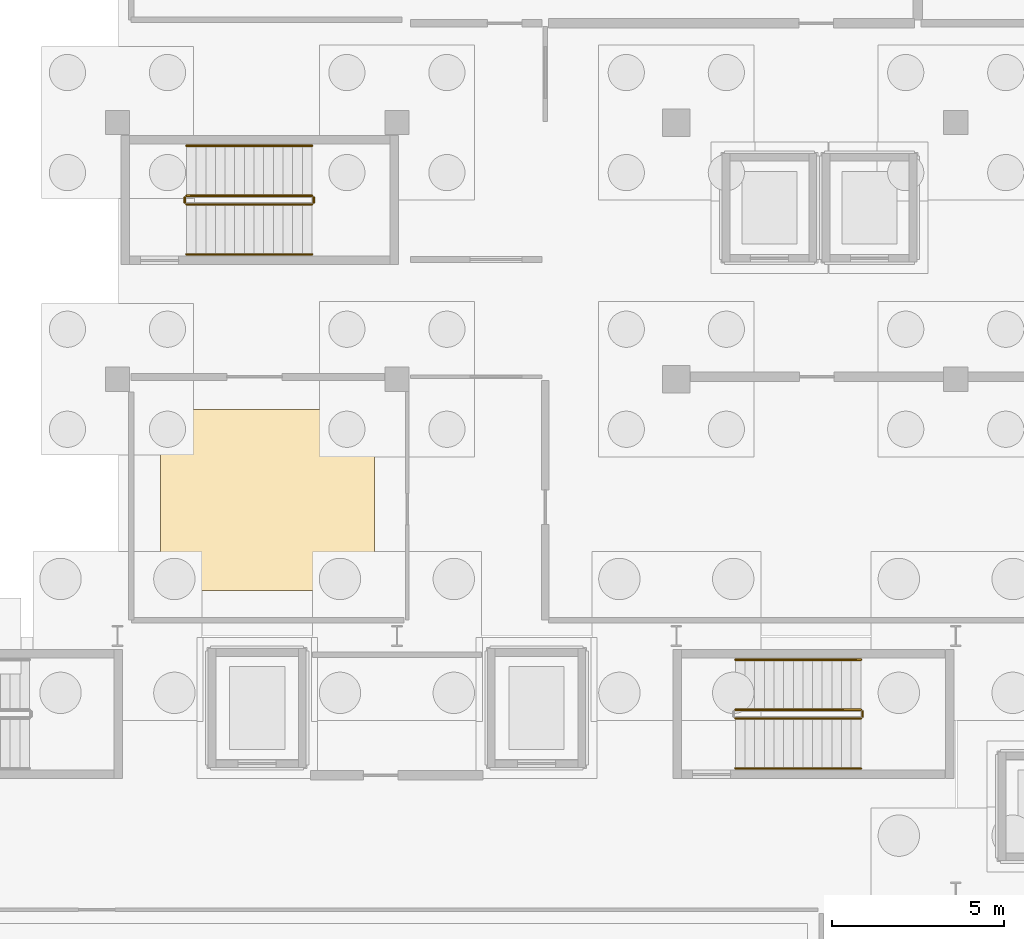
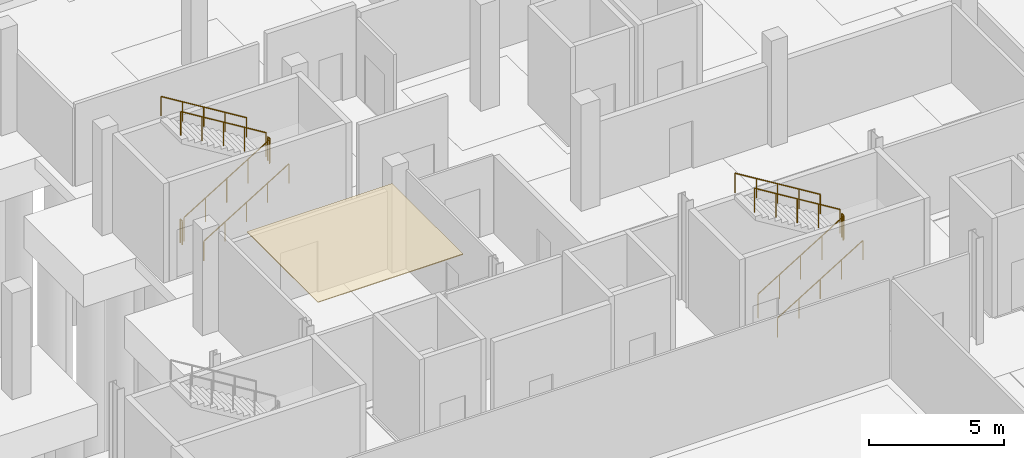
# One storey, part 35 of 37: 11 railings, 1 covering.
"""IFC4 building model written with IfcOpenShell, lengths in metres."""

from ifc_helpers import new_model, si_unit, direction, frame, origin, origin_2d, place, context, subcontext, project, spatial, polyline, circle, outline, extrude, material, layer, layer_set, type_object, element, save


model = new_model("IFC4")

# Units and contexts
model_context = context("Model", 3, precision=1e-05, world=origin(), true_north=direction((0.0, 1.0)))
body_context = subcontext(model_context, "Body", "Model", "MODEL_VIEW")
ifc_project = project(units=[si_unit("LENGTHUNIT", "METRE"), si_unit("AREAUNIT", "SQUARE_METRE"), si_unit("VOLUMEUNIT", "CUBIC_METRE"), si_unit("PLANEANGLEUNIT", "RADIAN"), si_unit("MASSUNIT", "GRAM", prefix="KILO")], contexts=[model_context])

# Site, building, storey
site_placement = place(None, origin())
site = spatial("IfcSite", under=ifc_project, at=site_placement, CompositionType="ELEMENT")
building_placement = place(site_placement, origin())
building = spatial("IfcBuilding", under=site, at=building_placement, Name="Kaelora Sail Theatre", CompositionType="ELEMENT")
storey_placement = place(building_placement, frame((0.0, 0.0, -4.800048828125)))
storey = spatial("IfcBuildingStorey", under=building, at=storey_placement, Name="B1", CompositionType="ELEMENT", Elevation=-4.800048828125)

# Covering
ifc_material_1 = material(Name="Suspended acoustic mineral-fibre ceiling", Category="gypsum")
ifc_layer = layer(ifc_material_1, 0.034912109375)
ifc_layer_set = layer_set([ifc_layer], Name="Suspended acoustic mineral-fibre ceiling")
covering_type = type_object("IfcCoveringType", Name="ARC-COV-CLG-GYP-35", PredefinedType="CEILING", material=ifc_layer_set)
covering_placement = place(storey_placement, frame((0.0, 0.0, 4.445068359375)))
element("IfcCovering", 1, at=covering_placement, inside=storey, type_object=covering_type, Name="Acoustic ceiling B1-SEC", PredefinedType="CEILING", context=body_context, shape_type="SweptSolid", body=[
    extrude(outline(polyline([(35.14990234375, 84.64990234375), (41.35009765625, 84.64990234375), (41.35009765625, 89.89990234375), (35.14990234375, 89.89990234375), (35.14990234375, 84.64990234375)])), origin(), (0.0, 0.0, 1.0), 0.034912109375),
])

# Railings
ifc_material_2 = material(Name="Painted steel and laminated safety glass guard", Category="steel")
railing_type_1 = type_object("IfcRailingType", Name="ARC-RL-GRD", PredefinedType="GUARDRAIL", material=ifc_material_2)
railing_1_placement = place(storey_placement, frame((51.81005859375, 80.949951171875, 0.17138671875)))
element("IfcRailing", 2, at=railing_1_placement, inside=storey, type_object=railing_type_1, Name="B1 ST-K5 stair guard 1", PredefinedType="GUARDRAIL", context=body_context, shape_type="SweptSolid", body=[
    extrude(circle(Radius=0.02392578125, at=origin_2d()), frame((0.0, 0.0, 1.076171875), z_axis=(0.852824790078, 0.0, 0.522197163366), x_axis=(0.0, 1.0, 0.0)), (0.0, 0.0, 1.0), 4.26806640625),
    extrude(circle(Radius=0.02099609375, at=origin_2d()), origin(), (0.0, 0.0, 1.0), 1.052001953125),
    extrude(circle(Radius=0.02099609375, at=origin_2d()), frame((0.909912109375, 0.0, 0.55712890625)), (0.0, 0.0, 1.0), 1.052001953125),
    extrude(circle(Radius=0.02099609375, at=origin_2d()), frame((1.81982421875, 0.0, 1.1142578125)), (0.0, 0.0, 1.0), 1.052001953125),
    extrude(circle(Radius=0.02099609375, at=origin_2d()), frame((2.72998046875, 0.0, 1.671630859375)), (0.0, 0.0, 1.0), 1.052001953125),
    extrude(circle(Radius=0.02099609375, at=origin_2d()), frame((3.639892578125, 0.0, 2.228759765625)), (0.0, 0.0, 1.0), 1.052001953125),
])
railing_2_placement = place(storey_placement, frame((55.5, 81.0, 2.400146484375)))
element("IfcRailing", 3, at=railing_2_placement, inside=storey, type_object=railing_type_1, Name="B1 ST-K5 stair guard 2", PredefinedType="GUARDRAIL", context=body_context, shape_type="SweptSolid", body=[
    extrude(circle(Radius=0.02392578125, at=origin_2d()), frame((0.0, 0.0, 1.076171875), z_axis=(0.0, 1.0, 0.0), x_axis=(-1.0, 0.0, 0.0)), (0.0, 0.0, 1.0), 0.14990234375),
    extrude(circle(Radius=0.02099609375, at=origin_2d()), origin(), (0.0, 0.0, 1.0), 1.052001953125),
    extrude(circle(Radius=0.02099609375, at=origin_2d()), frame((0.0, 0.14990234375, 0.0)), (0.0, 0.0, 1.0), 1.052001953125),
])
railing_3_placement = place(storey_placement, frame((55.449951171875, 81.199951171875, 2.571533203125)))
element("IfcRailing", 4, at=railing_3_placement, inside=storey, type_object=railing_type_1, Name="B1 ST-K5 stair guard 3", PredefinedType="GUARDRAIL", context=body_context, shape_type="SweptSolid", body=[
    extrude(circle(Radius=0.02392578125, at=origin_2d()), frame((0.0, 0.0, 1.076171875), z_axis=(-0.852850264322, 0.0, 0.5221555579), x_axis=(0.0, -1.0, 0.0)), (0.0, 0.0, 1.0), 4.267822265625),
    extrude(circle(Radius=0.02099609375, at=origin_2d()), origin(), (0.0, 0.0, 1.0), 1.052001953125),
    extrude(circle(Radius=0.02099609375, at=origin_2d()), frame((-0.909912109375, 0.0, 0.55712890625)), (0.0, 0.0, 1.0), 1.052001953125),
    extrude(circle(Radius=0.02099609375, at=origin_2d()), frame((-1.81982421875, 0.0, 1.1142578125)), (0.0, 0.0, 1.0), 1.052001953125),
    extrude(circle(Radius=0.02099609375, at=origin_2d()), frame((-2.72998046875, 0.0, 1.67138671875)), (0.0, 0.0, 1.0), 1.052001953125),
    extrude(circle(Radius=0.02099609375, at=origin_2d()), frame((-3.639892578125, 0.0, 2.228515625)), (0.0, 0.0, 1.0), 1.052001953125),
])
railing_4_placement = place(storey_placement, frame((35.89990234375, 95.85009765625, 0.17138671875)))
element("IfcRailing", 5, at=railing_4_placement, inside=storey, type_object=railing_type_1, Name="B1 ST-K2 stair guard 1", PredefinedType="GUARDRAIL", context=body_context, shape_type="SweptSolid", body=[
    extrude(circle(Radius=0.02392578125, at=origin_2d()), frame((0.0, 0.0, 1.076171875), z_axis=(0.852840387347, 0.0, 0.522171689878), x_axis=(0.0, 1.0, 0.0)), (0.0, 0.0, 1.0), 4.268310546875),
    extrude(circle(Radius=0.02099609375, at=origin_2d()), origin(), (0.0, 0.0, 1.0), 1.052001953125),
    extrude(circle(Radius=0.02099609375, at=origin_2d()), frame((0.91015625, 0.0, 0.55712890625)), (0.0, 0.0, 1.0), 1.052001953125),
    extrude(circle(Radius=0.02099609375, at=origin_2d()), frame((1.820068359375, 0.0, 1.1142578125)), (0.0, 0.0, 1.0), 1.052001953125),
    extrude(circle(Radius=0.02099609375, at=origin_2d()), frame((2.72998046875, 0.0, 1.671630859375)), (0.0, 0.0, 1.0), 1.052001953125),
    extrude(circle(Radius=0.02099609375, at=origin_2d()), frame((3.64013671875, 0.0, 2.228759765625)), (0.0, 0.0, 1.0), 1.052001953125),
])
railing_5_placement = place(storey_placement, frame((39.590087890625, 95.89990234375, 2.400146484375)))
element("IfcRailing", 6, at=railing_5_placement, inside=storey, type_object=railing_type_1, Name="B1 ST-K2 stair guard 2", PredefinedType="GUARDRAIL", context=body_context, shape_type="SweptSolid", body=[
    extrude(circle(Radius=0.02392578125, at=origin_2d()), frame((0.0, 0.0, 1.076171875), z_axis=(0.0, 1.0, 0.0), x_axis=(-1.0, 0.0, 0.0)), (0.0, 0.0, 1.0), 0.150146484375),
    extrude(circle(Radius=0.02099609375, at=origin_2d()), origin(), (0.0, 0.0, 1.0), 1.052001953125),
    extrude(circle(Radius=0.02099609375, at=origin_2d()), frame((0.0, 0.150146484375, 0.0)), (0.0, 0.0, 1.0), 1.052001953125),
])
railing_6_placement = place(storey_placement, frame((39.5400390625, 96.10009765625, 2.571533203125)))
element("IfcRailing", 7, at=railing_6_placement, inside=storey, type_object=railing_type_1, Name="B1 ST-K2 stair guard 3", PredefinedType="GUARDRAIL", context=body_context, shape_type="SweptSolid", body=[
    extrude(circle(Radius=0.02392578125, at=origin_2d()), frame((0.0, 0.0, 1.076171875), z_axis=(-0.852865859571, 0.0, 0.52213008492), x_axis=(0.0, -1.0, 0.0)), (0.0, 0.0, 1.0), 4.26806640625),
    extrude(circle(Radius=0.02099609375, at=origin_2d()), origin(), (0.0, 0.0, 1.0), 1.052001953125),
    extrude(circle(Radius=0.02099609375, at=origin_2d()), frame((-0.91015625, 0.0, 0.55712890625)), (0.0, 0.0, 1.0), 1.052001953125),
    extrude(circle(Radius=0.02099609375, at=origin_2d()), frame((-1.820068359375, 0.0, 1.1142578125)), (0.0, 0.0, 1.0), 1.052001953125),
    extrude(circle(Radius=0.02099609375, at=origin_2d()), frame((-2.72998046875, 0.0, 1.67138671875)), (0.0, 0.0, 1.0), 1.052001953125),
    extrude(circle(Radius=0.02099609375, at=origin_2d()), frame((-3.64013671875, 0.0, 2.228515625)), (0.0, 0.0, 1.0), 1.052001953125),
])
railing_7_placement = place(storey_placement, frame((35.85009765625, 95.89990234375, 0.0)))
element("IfcRailing", 8, at=railing_7_placement, inside=storey, type_object=railing_type_1, Name="B1 ST-K2 stair guard 4", PredefinedType="GUARDRAIL", context=body_context, shape_type="SweptSolid", body=[
    extrude(circle(Radius=0.02392578125, at=origin_2d()), frame((0.0, 0.0, 1.076171875), z_axis=(0.0, 1.0, 0.0), x_axis=(-1.0, 0.0, 0.0)), (0.0, 0.0, 1.0), 0.150146484375),
    extrude(circle(Radius=0.02099609375, at=origin_2d()), origin(), (0.0, 0.0, 1.0), 1.052001953125),
    extrude(circle(Radius=0.02099609375, at=origin_2d()), frame((0.0, 0.150146484375, 0.0)), (0.0, 0.0, 1.0), 1.052001953125),
])
ifc_material_3 = material(Name="Brushed stainless steel 316L tubular handrail", Category="steel")
railing_type_2 = type_object("IfcRailingType", Name="ARC-RL-HND", PredefinedType="HANDRAIL", material=ifc_material_3)
railing_8_placement = place(storey_placement, frame((51.81005859375, 79.5, 0.17138671875)))
element("IfcRailing", 9, at=railing_8_placement, inside=storey, type_object=railing_type_2, Name="B1 ST-K5 stair handrail 1", PredefinedType="HANDRAIL", context=body_context, shape_type="SweptSolid", body=[
    extrude(circle(Radius=0.02392578125, at=origin_2d()), frame((0.0, 0.0, 0.8759765625), z_axis=(0.852824790078, 0.0, 0.522197163366), x_axis=(0.0, 1.0, 0.0)), (0.0, 0.0, 1.0), 4.26806640625),
    extrude(circle(Radius=0.02099609375, at=origin_2d()), origin(), (0.0, 0.0, 1.0), 0.851806640625),
    extrude(circle(Radius=0.02099609375, at=origin_2d()), frame((0.909912109375, 0.0, 0.55712890625)), (0.0, 0.0, 1.0), 0.851806640625),
    extrude(circle(Radius=0.02099609375, at=origin_2d()), frame((1.81982421875, 0.0, 1.1142578125)), (0.0, 0.0, 1.0), 0.851806640625),
    extrude(circle(Radius=0.02099609375, at=origin_2d()), frame((2.72998046875, 0.0, 1.671630859375)), (0.0, 0.0, 1.0), 0.851806640625),
    extrude(circle(Radius=0.02099609375, at=origin_2d()), frame((3.639892578125, 0.0, 2.228759765625)), (0.0, 0.0, 1.0), 0.851806640625),
])
railing_9_placement = place(storey_placement, frame((55.449951171875, 82.64990234375, 2.571533203125)))
element("IfcRailing", 10, at=railing_9_placement, inside=storey, type_object=railing_type_2, Name="B1 ST-K5 stair handrail 2", PredefinedType="HANDRAIL", context=body_context, shape_type="SweptSolid", body=[
    extrude(circle(Radius=0.02392578125, at=origin_2d()), frame((0.0, 0.0, 0.8759765625), z_axis=(-0.852850264322, 0.0, 0.5221555579), x_axis=(0.0, -1.0, 0.0)), (0.0, 0.0, 1.0), 4.267822265625),
    extrude(circle(Radius=0.02099609375, at=origin_2d()), origin(), (0.0, 0.0, 1.0), 0.851806640625),
    extrude(circle(Radius=0.02099609375, at=origin_2d()), frame((-0.909912109375, 0.0, 0.55712890625)), (0.0, 0.0, 1.0), 0.851806640625),
    extrude(circle(Radius=0.02099609375, at=origin_2d()), frame((-1.81982421875, 0.0, 1.1142578125)), (0.0, 0.0, 1.0), 0.851806640625),
    extrude(circle(Radius=0.02099609375, at=origin_2d()), frame((-2.72998046875, 0.0, 1.67138671875)), (0.0, 0.0, 1.0), 0.851806640625),
    extrude(circle(Radius=0.02099609375, at=origin_2d()), frame((-3.639892578125, 0.0, 2.228515625)), (0.0, 0.0, 1.0), 0.851806640625),
])
railing_10_placement = place(storey_placement, frame((35.89990234375, 94.39990234375, 0.17138671875)))
element("IfcRailing", 11, at=railing_10_placement, inside=storey, type_object=railing_type_2, Name="B1 ST-K2 stair handrail 1", PredefinedType="HANDRAIL", context=body_context, shape_type="SweptSolid", body=[
    extrude(circle(Radius=0.02392578125, at=origin_2d()), frame((0.0, 0.0, 0.8759765625), z_axis=(0.852840387347, 0.0, 0.522171689878), x_axis=(0.0, 1.0, 0.0)), (0.0, 0.0, 1.0), 4.268310546875),
    extrude(circle(Radius=0.02099609375, at=origin_2d()), origin(), (0.0, 0.0, 1.0), 0.851806640625),
    extrude(circle(Radius=0.02099609375, at=origin_2d()), frame((0.91015625, 0.0, 0.55712890625)), (0.0, 0.0, 1.0), 0.851806640625),
    extrude(circle(Radius=0.02099609375, at=origin_2d()), frame((1.820068359375, 0.0, 1.1142578125)), (0.0, 0.0, 1.0), 0.851806640625),
    extrude(circle(Radius=0.02099609375, at=origin_2d()), frame((2.72998046875, 0.0, 1.671630859375)), (0.0, 0.0, 1.0), 0.851806640625),
    extrude(circle(Radius=0.02099609375, at=origin_2d()), frame((3.64013671875, 0.0, 2.228759765625)), (0.0, 0.0, 1.0), 0.851806640625),
])
railing_11_placement = place(storey_placement, frame((39.5400390625, 97.550048828125, 2.571533203125)))
element("IfcRailing", 12, at=railing_11_placement, inside=storey, type_object=railing_type_2, Name="B1 ST-K2 stair handrail 2", PredefinedType="HANDRAIL", context=body_context, shape_type="SweptSolid", body=[
    extrude(circle(Radius=0.02392578125, at=origin_2d()), frame((0.0, 0.0, 0.8759765625), z_axis=(-0.852865859571, 0.0, 0.52213008492), x_axis=(0.0, -1.0, 0.0)), (0.0, 0.0, 1.0), 4.26806640625),
    extrude(circle(Radius=0.02099609375, at=origin_2d()), origin(), (0.0, 0.0, 1.0), 0.851806640625),
    extrude(circle(Radius=0.02099609375, at=origin_2d()), frame((-0.91015625, 0.0, 0.55712890625)), (0.0, 0.0, 1.0), 0.851806640625),
    extrude(circle(Radius=0.02099609375, at=origin_2d()), frame((-1.820068359375, 0.0, 1.1142578125)), (0.0, 0.0, 1.0), 0.851806640625),
    extrude(circle(Radius=0.02099609375, at=origin_2d()), frame((-2.72998046875, 0.0, 1.67138671875)), (0.0, 0.0, 1.0), 0.851806640625),
    extrude(circle(Radius=0.02099609375, at=origin_2d()), frame((-3.64013671875, 0.0, 2.228515625)), (0.0, 0.0, 1.0), 0.851806640625),
])

save(model, "model.ifc")
